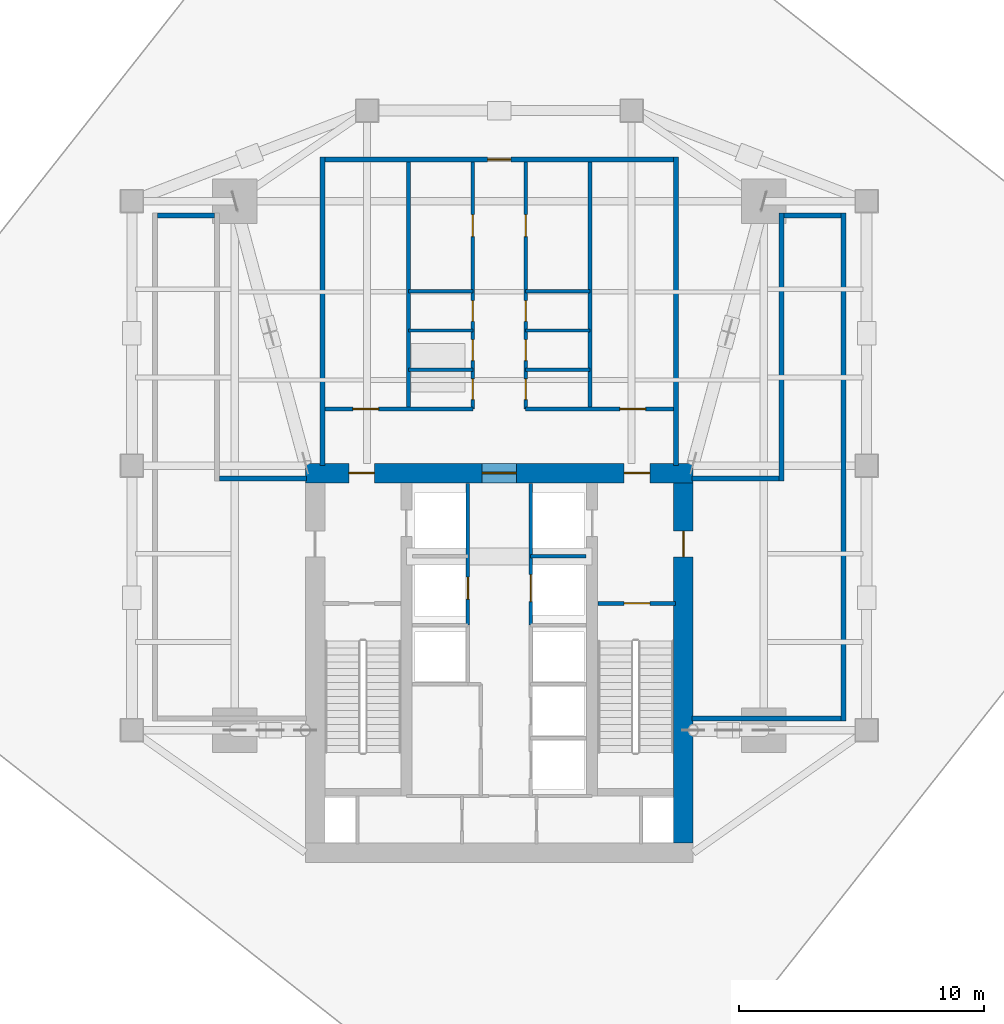
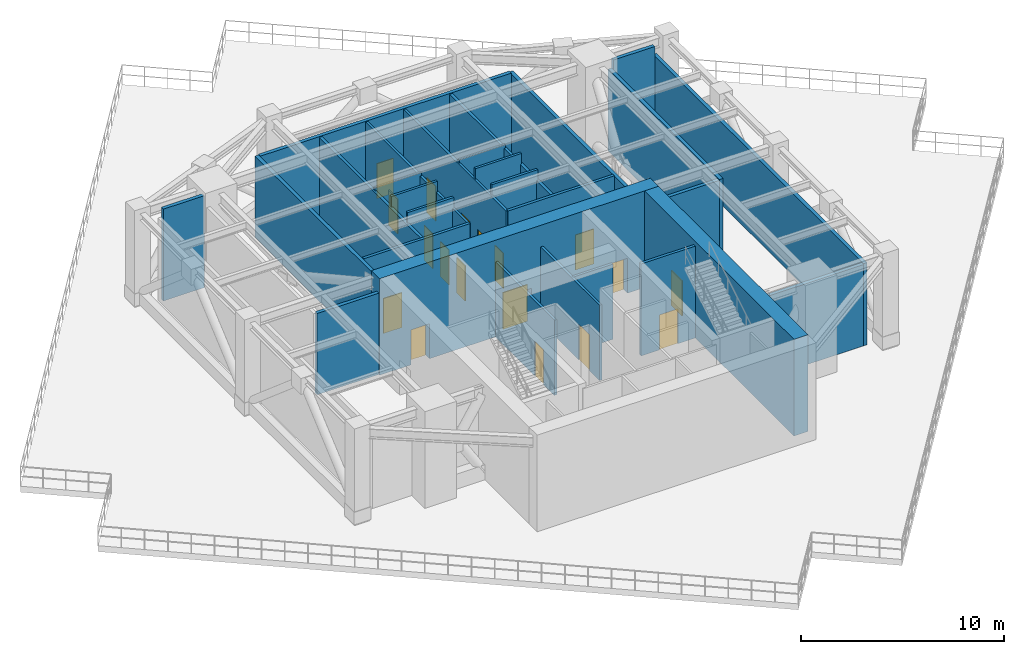
# One storey, part 5 of 8: 28 walls, 18 doors, 18 openings.
"""IFC4 building model written with IfcOpenShell, lengths in metres."""

from ifc_helpers import new_model, si_unit, direction, frame, frame_2d, origin, place, context, subcontext, project, spatial, rectangle, extrude, material, layer, layer_set, type_object, element, fill, save


model = new_model("IFC4")

# Units and contexts
model_context = context("Model", 3, precision=1e-05, world=origin(), true_north=direction((0.0, 1.0)))
body_context = subcontext(model_context, "Body", "Model", "MODEL_VIEW")
ifc_project = project(units=[si_unit("LENGTHUNIT", "METRE"), si_unit("AREAUNIT", "SQUARE_METRE"), si_unit("VOLUMEUNIT", "CUBIC_METRE"), si_unit("PLANEANGLEUNIT", "RADIAN"), si_unit("MASSUNIT", "GRAM", prefix="KILO")], contexts=[model_context])

# Site, building, storey
site_placement = place(None, origin())
site = spatial("IfcSite", under=ifc_project, at=site_placement, CompositionType="ELEMENT")
building_placement = place(site_placement, origin())
building = spatial("IfcBuilding", under=site, at=building_placement, Name="Krantzveldt Concourse Tower", CompositionType="ELEMENT")
storey_placement = place(building_placement, frame((0.0, 0.0, 201.5)))
storey = spatial("IfcBuildingStorey", under=building, at=storey_placement, Name="L49", CompositionType="ELEMENT", Elevation=201.5)

# Wall, opening, door
ifc_material_1 = material(Name="Concrete C40/50", Category="concrete")
ifc_layer_1 = layer(ifc_material_1, 0.199951171875, Name="Concrete C40/50", Category="concrete")
ifc_layer_set_1 = layer_set([ifc_layer_1], Name="Concrete C40/50 (WL-EXT-POD200)")
wall_type_1 = type_object("IfcWallType", Name="WL-EXT-POD200", PredefinedType="SOLIDWALL", material=ifc_layer_set_1)
wall_1_placement = place(storey_placement, frame((28.8798828125, 39.199951171875, 0.0), z_axis=(0.0, 0.0, 1.0), x_axis=(1.0, 0.0, 0.0)))
wall_1 = element("IfcWall", 1, at=wall_1_placement, inside=storey, type_object=wall_type_1, Name="WP-L49-PODN", PredefinedType="SOLIDWALL", context=body_context, shape_type="SweptSolid", body=[
    extrude(rectangle(XDim=14.240234375, YDim=0.199951171875, at=frame_2d((7.1201171875, 0.0))), origin(), (0.0, 0.0, 1.0), 4.929931640625),
])
opening_1_placement = place(wall_1_placement, frame((6.64501953125, 0.0, 0.0)))
opening_1 = element("IfcOpeningElement", 2, at=opening_1_placement, cuts=wall_1, Name="Opening D-EX95", PredefinedType="OPENING", context=body_context, shape_type="SweptSolid", body=[
    extrude(rectangle(XDim=0.949951171875, YDim=2.10009765625, at=frame_2d((0.47509765625, 1.050048828125))), frame((0.0, 0.10986328125, 0.0), z_axis=(0.0, -1.0, 0.0), x_axis=(1.0, 0.0, 0.0)), (0.0, 0.0, 1.0), 0.219970703125),
])
ifc_material_2 = material(Name="Anodised aluminium 6063-T6", Category="aluminium")
door_type_1 = type_object("IfcDoorType", Name="DR-EXT-950", OperationType="SINGLE_SWING_LEFT", PredefinedType="DOOR", material=ifc_material_2)
door_1_placement = place(opening_1_placement, origin())
door_1 = element("IfcDoor", 3, at=door_1_placement, inside=storey, type_object=door_type_1, Name="DR-L49-WDECK", OperationType="SINGLE_SWING_LEFT", OverallHeight=2.10009765625, OverallWidth=0.949951171875, PredefinedType="DOOR", context=body_context, shape_type="SweptSolid", body=[
    extrude(rectangle(XDim=0.949951171875, YDim=2.10009765625, at=frame_2d((0.47509765625, 1.050048828125))), frame((0.0, 0.02490234375, 0.0), z_axis=(0.0, -1.0, 0.0), x_axis=(1.0, 0.0, 0.0)), (0.0, 0.0, 1.0), 0.050048828125),
])
fill(opening_1, door_1)

# Walls
for number, where, z_axis, x_axis, name in (
    (4, (28.780029296875, 26.699951171875, 0.0), (0.0, 0.0, 1.0), (0.0, 1.0, 0.0), "WP-L49-PODW"),
    (5, (43.219970703125, 26.699951171875, 0.0), (0.0, 0.0, 1.0), (0.0, 1.0, 0.0), "WP-L49-PODE"),
):
    element("IfcWall", number, at=place(storey_placement, frame(where, z_axis=z_axis, x_axis=x_axis)), inside=storey, type_object=wall_type_1, Name=name, PredefinedType="SOLIDWALL", context=body_context, shape_type="SweptSolid", body=[
        extrude(rectangle(XDim=12.60009765625, YDim=0.199951171875, at=frame_2d((6.300048828125, 0.0))), origin(), (0.0, 0.0, 1.0), 4.8798828125),
    ])
wall_2_placement = place(storey_placement, frame((22.050048828125, 36.919921875, 0.0), z_axis=(0.0, 0.0, 1.0), x_axis=(1.0, 0.0, 0.0)))
element("IfcWall", 6, at=wall_2_placement, inside=storey, type_object=wall_type_1, Name="WP-L49-RWN1", PredefinedType="SOLIDWALL", context=body_context, shape_type="SweptSolid", body=[
    extrude(rectangle(XDim=2.329833984375, YDim=0.199951171875, at=frame_2d((1.1650390625, 0.0))), origin(), (0.0, 0.0, 1.0), 5.52001953125),
])
wall_3_placement = place(storey_placement, frame((24.580078125, 26.179931640625, 0.0), z_axis=(0.0, 0.0, 1.0), x_axis=(1.0, 0.0, 0.0)))
element("IfcWall", 7, at=wall_3_placement, inside=storey, type_object=wall_type_1, Name="WP-L49-RWN2", PredefinedType="SOLIDWALL", context=body_context, shape_type="SweptSolid", body=[
    extrude(rectangle(XDim=3.5400390625, YDim=0.199951171875, at=frame_2d((1.77001953125, 0.0))), origin(), (0.0, 0.0, 1.0), 4.8798828125),
])
wall_4_placement = place(storey_placement, frame((43.8798828125, 16.3798828125, 0.0), z_axis=(0.0, 0.0, 1.0), x_axis=(1.0, 0.0, 0.0)))
element("IfcWall", 8, at=wall_4_placement, inside=storey, type_object=wall_type_1, Name="WP-L49-RES", PredefinedType="SOLIDWALL", context=body_context, shape_type="SweptSolid", body=[
    extrude(rectangle(XDim=6.070068359375, YDim=0.199951171875, at=frame_2d((3.03515625, 0.0))), origin(), (0.0, 0.0, 1.0), 4.8798828125),
])
wall_5_placement = place(storey_placement, frame((50.050048828125, 16.280029296875, 0.0), z_axis=(0.0, 0.0, 1.0), x_axis=(0.0, 1.0, 0.0)))
element("IfcWall", 9, at=wall_5_placement, inside=storey, type_object=wall_type_1, Name="WP-L49-REE", PredefinedType="SOLIDWALL", context=body_context, shape_type="SweptSolid", body=[
    extrude(rectangle(XDim=20.739990234375, YDim=0.199951171875, at=frame_2d((10.3701171875, 0.0))), origin(), (0.0, 0.0, 1.0), 4.929931640625),
])
wall_6_placement = place(storey_placement, frame((47.6201171875, 36.919921875, 0.0), z_axis=(0.0, 0.0, 1.0), x_axis=(1.0, 0.0, 0.0)))
element("IfcWall", 10, at=wall_6_placement, inside=storey, type_object=wall_type_1, Name="WP-L49-REN1", PredefinedType="SOLIDWALL", context=body_context, shape_type="SweptSolid", body=[
    extrude(rectangle(XDim=2.329833984375, YDim=0.199951171875, at=frame_2d((1.1650390625, 0.0))), origin(), (0.0, 0.0, 1.0), 5.52001953125),
])
wall_7_placement = place(storey_placement, frame((47.52001953125, 26.080078125, 0.0), z_axis=(0.0, 0.0, 1.0), x_axis=(0.0, 1.0, 0.0)))
element("IfcWall", 11, at=wall_7_placement, inside=storey, type_object=wall_type_1, Name="WP-L49-RENW", PredefinedType="SOLIDWALL", context=body_context, shape_type="SweptSolid", body=[
    extrude(rectangle(XDim=10.93994140625, YDim=0.199951171875, at=frame_2d((5.469970703125, 0.0))), origin(), (0.0, 0.0, 1.0), 4.929931640625),
])
wall_8_placement = place(storey_placement, frame((43.8798828125, 26.179931640625, 0.0), z_axis=(0.0, 0.0, 1.0), x_axis=(1.0, 0.0, 0.0)))
element("IfcWall", 12, at=wall_8_placement, inside=storey, type_object=wall_type_1, Name="WP-L49-REN2", PredefinedType="SOLIDWALL", context=body_context, shape_type="SweptSolid", body=[
    extrude(rectangle(XDim=3.5400390625, YDim=0.199951171875, at=frame_2d((1.77001953125, 0.0))), origin(), (0.0, 0.0, 1.0), 4.8798828125),
])

# Wall, opening, door
ifc_material_3 = material(Name="Fire-rated gypsum plasterboard on steel stud", Category="steel")
ifc_layer_2 = layer(ifc_material_3, 0.139892578125, Name="Fire-rated gypsum plasterboard on steel stud", Category="steel")
ifc_layer_set_2 = layer_set([ifc_layer_2], Name="Fire-rated gypsum plasterboard on steel stud (WL-PART-FR140)")
wall_type_2 = type_object("IfcWallType", Name="WL-PART-FR140", PredefinedType="PARTITIONING", material=ifc_layer_set_2)
wall_9_placement = place(storey_placement, frame((34.719970703125, 20.199951171875, 0.0), z_axis=(0.0, 0.0, 1.0), x_axis=(0.0, 1.0, 0.0)))
wall_9 = element("IfcWall", 13, at=wall_9_placement, inside=storey, type_object=wall_type_2, Name="WP-L49-SHNW", PredefinedType="PARTITIONING", context=body_context, shape_type="SweptSolid", body=[
    extrude(rectangle(XDim=5.780029296875, YDim=0.139892578125, at=frame_2d((2.89013671875, 0.0))), origin(), (0.0, 0.0, 1.0), 4.52001953125),
])
opening_2_placement = place(wall_9_placement, frame((1.050048828125, 0.0, 0.0)))
opening_2 = element("IfcOpeningElement", 14, at=opening_2_placement, cuts=wall_9, Name="Opening D-FD090", PredefinedType="OPENING", context=body_context, shape_type="SweptSolid", body=[
    extrude(rectangle(XDim=0.89990234375, YDim=2.10009765625, at=frame_2d((0.449951171875, 1.050048828125))), frame((0.0, 0.080078125, 0.0), z_axis=(0.0, -1.0, 0.0), x_axis=(1.0, 0.0, 0.0)), (0.0, 0.0, 1.0), 0.159912109375),
])
ifc_material_4 = material(Name="Hardwood timber", Category="wood")
door_type_2 = type_object("IfcDoorType", Name="DR-FD60-900", OperationType="SINGLE_SWING_LEFT", PredefinedType="DOOR", material=ifc_material_4)
door_2_placement = place(opening_2_placement, origin())
door_2 = element("IfcDoor", 15, at=door_2_placement, inside=storey, type_object=door_type_2, Name="Electrical Riser Access Door L49", OperationType="SINGLE_SWING_LEFT", OverallHeight=2.10009765625, OverallWidth=0.89990234375, PredefinedType="DOOR", context=body_context, shape_type="SweptSolid", body=[
    extrude(rectangle(XDim=0.89990234375, YDim=2.10009765625, at=frame_2d((0.449951171875, 1.050048828125))), frame((0.0, 0.02490234375, 0.0), z_axis=(0.0, -1.0, 0.0), x_axis=(1.0, 0.0, 0.0)), (0.0, 0.0, 1.0), 0.050048828125),
])
fill(opening_2, door_2)

wall_10_placement = place(storey_placement, frame((37.280029296875, 20.199951171875, 0.0), z_axis=(0.0, 0.0, 1.0), x_axis=(0.0, 1.0, 0.0)))
wall_10 = element("IfcWall", 16, at=wall_10_placement, inside=storey, type_object=wall_type_2, Name="WP-L49-SHNE", PredefinedType="PARTITIONING", context=body_context, shape_type="SweptSolid", body=[
    extrude(rectangle(XDim=5.780029296875, YDim=0.139892578125, at=frame_2d((2.89013671875, 0.0))), origin(), (0.0, 0.0, 1.0), 4.52001953125),
])
opening_3_placement = place(wall_10_placement, frame((0.949951171875, 0.0, 0.0)))
opening_3 = element("IfcOpeningElement", 17, at=opening_3_placement, cuts=wall_10, Name="Opening LD", PredefinedType="OPENING", context=body_context, shape_type="SweptSolid", body=[
    extrude(rectangle(XDim=1.10009765625, YDim=2.14990234375, at=frame_2d((0.550048828125, 1.074951171875))), frame((0.0, 0.080078125, 0.0), z_axis=(0.0, -1.0, 0.0), x_axis=(1.0, 0.0, 0.0)), (0.0, 0.0, 1.0), 0.159912109375),
])
ifc_material_5 = material(Name="Stainless steel 316L", Category="steel")
door_type_3 = type_object("IfcDoorType", Name="DR-SLIDE-LD1100", OperationType="DOUBLE_DOOR_SLIDING", PredefinedType="DOOR", material=ifc_material_5)
door_3_placement = place(opening_3_placement, origin())
door_3 = element("IfcDoor", 18, at=door_3_placement, inside=storey, type_object=door_type_3, Name="LD-L49-GL1", OperationType="DOUBLE_DOOR_SLIDING", OverallHeight=2.14990234375, OverallWidth=1.10009765625, PredefinedType="DOOR", context=body_context, shape_type="SweptSolid", body=[
    extrude(rectangle(XDim=1.10009765625, YDim=2.14990234375, at=frame_2d((0.550048828125, 1.074951171875))), frame((0.0, 0.02490234375, 0.0), z_axis=(0.0, -1.0, 0.0), x_axis=(1.0, 0.0, 0.0)), (0.0, 0.0, 1.0), 0.050048828125),
])
fill(opening_3, door_3)

# Wall
wall_11_placement = place(storey_placement, frame((37.280029296875, 23.0, 0.0), z_axis=(0.0, 0.0, 1.0), x_axis=(1.0, 0.0, 0.0)))
element("IfcWall", 19, at=wall_11_placement, inside=storey, type_object=wall_type_2, Name="WP-L49-GLH", PredefinedType="PARTITIONING", context=body_context, shape_type="SweptSolid", body=[
    extrude(rectangle(XDim=2.27001953125, YDim=0.139892578125, at=frame_2d((1.135009765625, 0.0))), origin(), (0.0, 0.0, 1.0), 4.52001953125),
])

# Wall, openings, doors
wall_12_placement = place(storey_placement, frame((34.919921875, 29.02001953125, 0.0), z_axis=(0.0, 0.0, 1.0), x_axis=(0.0, 1.0, 0.0)))
wall_12 = element("IfcWall", 20, at=wall_12_placement, inside=storey, type_object=wall_type_2, Name="WP-L49-SPL", PredefinedType="PARTITIONING", context=body_context, shape_type="SweptSolid", body=[
    extrude(rectangle(XDim=10.080078125, YDim=0.139892578125, at=frame_2d((5.0400390625, 0.0))), origin(), (0.0, 0.0, 1.0), 4.8798828125),
])
opening_4_placement = place(wall_12_placement, frame((7.030029296875, 0.0, 0.0)))
opening_4 = element("IfcOpeningElement", 21, at=opening_4_placement, cuts=wall_12, Name="Opening D-FD090", PredefinedType="OPENING", context=body_context, shape_type="SweptSolid", body=[
    extrude(rectangle(XDim=0.89990234375, YDim=2.10009765625, at=frame_2d((0.449951171875, 1.050048828125))), frame((0.0, 0.080078125, 0.0), z_axis=(0.0, -1.0, 0.0), x_axis=(1.0, 0.0, 0.0)), (0.0, 0.0, 1.0), 0.159912109375),
])
opening_5_placement = place(wall_12_placement, frame((0.375, 0.0, 0.0)))
opening_5 = element("IfcOpeningElement", 22, at=opening_5_placement, cuts=wall_12, Name="Opening D-IN085", PredefinedType="OPENING", context=body_context, shape_type="SweptSolid", body=[
    extrude(rectangle(XDim=0.85009765625, YDim=2.10009765625, at=frame_2d((0.425048828125, 1.050048828125))), frame((0.0, 0.080078125, 0.0), z_axis=(0.0, -1.0, 0.0), x_axis=(1.0, 0.0, 0.0)), (0.0, 0.0, 1.0), 0.159912109375),
])
opening_6_placement = place(wall_12_placement, frame((1.97509765625, 0.0, 0.0)))
opening_6 = element("IfcOpeningElement", 23, at=opening_6_placement, cuts=wall_12, Name="Opening D-IN085", PredefinedType="OPENING", context=body_context, shape_type="SweptSolid", body=[
    extrude(rectangle(XDim=0.85009765625, YDim=2.10009765625, at=frame_2d((0.425048828125, 1.050048828125))), frame((0.0, 0.080078125, 0.0), z_axis=(0.0, -1.0, 0.0), x_axis=(1.0, 0.0, 0.0)), (0.0, 0.0, 1.0), 0.159912109375),
])
opening_7_placement = place(wall_12_placement, frame((3.574951171875, 0.0, 0.0)))
opening_7 = element("IfcOpeningElement", 24, at=opening_7_placement, cuts=wall_12, Name="Opening D-IN085", PredefinedType="OPENING", context=body_context, shape_type="SweptSolid", body=[
    extrude(rectangle(XDim=0.85009765625, YDim=2.10009765625, at=frame_2d((0.425048828125, 1.050048828125))), frame((0.0, 0.080078125, 0.0), z_axis=(0.0, -1.0, 0.0), x_axis=(1.0, 0.0, 0.0)), (0.0, 0.0, 1.0), 0.159912109375),
])
door_4_placement = place(opening_4_placement, origin())
door_4 = element("IfcDoor", 25, at=door_4_placement, inside=storey, type_object=door_type_2, Name="DR-L49-REFCNL", OperationType="SINGLE_SWING_LEFT", OverallHeight=2.10009765625, OverallWidth=0.89990234375, PredefinedType="DOOR", context=body_context, shape_type="SweptSolid", body=[
    extrude(rectangle(XDim=0.89990234375, YDim=2.10009765625, at=frame_2d((0.449951171875, 1.050048828125))), frame((0.0, 0.02490234375, 0.0), z_axis=(0.0, -1.0, 0.0), x_axis=(1.0, 0.0, 0.0)), (0.0, 0.0, 1.0), 0.050048828125),
])
fill(opening_4, door_4)
door_type_4 = type_object("IfcDoorType", Name="DR-INT-850", OperationType="SINGLE_SWING_LEFT", PredefinedType="DOOR", material=ifc_material_4)
door_5_placement = place(opening_5_placement, origin())
door_5 = element("IfcDoor", 26, at=door_5_placement, inside=storey, type_object=door_type_4, Name="DR-L49-PAHU1", OperationType="SINGLE_SWING_LEFT", OverallHeight=2.10009765625, OverallWidth=0.85009765625, PredefinedType="DOOR", context=body_context, shape_type="SweptSolid", body=[
    extrude(rectangle(XDim=0.85009765625, YDim=2.10009765625, at=frame_2d((0.425048828125, 1.050048828125))), frame((0.0, 0.02490234375, 0.0), z_axis=(0.0, -1.0, 0.0), x_axis=(1.0, 0.0, 0.0)), (0.0, 0.0, 1.0), 0.050048828125),
])
fill(opening_5, door_5)
door_6_placement = place(opening_6_placement, origin())
door_6 = element("IfcDoor", 27, at=door_6_placement, inside=storey, type_object=door_type_4, Name="DR-L49-PAHU2", OperationType="SINGLE_SWING_RIGHT", OverallHeight=2.10009765625, OverallWidth=0.85009765625, PredefinedType="DOOR", context=body_context, shape_type="SweptSolid", body=[
    extrude(rectangle(XDim=0.85009765625, YDim=2.10009765625, at=frame_2d((0.425048828125, 1.050048828125))), frame((0.0, 0.02490234375, 0.0), z_axis=(0.0, -1.0, 0.0), x_axis=(1.0, 0.0, 0.0)), (0.0, 0.0, 1.0), 0.050048828125),
])
fill(opening_6, door_6)
door_7_placement = place(opening_7_placement, origin())
door_7 = element("IfcDoor", 28, at=door_7_placement, inside=storey, type_object=door_type_4, Name="DR-L49-PSWG", OperationType="SINGLE_SWING_LEFT", OverallHeight=2.10009765625, OverallWidth=0.85009765625, PredefinedType="DOOR", context=body_context, shape_type="SweptSolid", body=[
    extrude(rectangle(XDim=0.85009765625, YDim=2.10009765625, at=frame_2d((0.425048828125, 1.050048828125))), frame((0.0, 0.02490234375, 0.0), z_axis=(0.0, -1.0, 0.0), x_axis=(1.0, 0.0, 0.0)), (0.0, 0.0, 1.0), 0.050048828125),
])
fill(opening_7, door_7)

wall_13_placement = place(storey_placement, frame((37.080078125, 29.02001953125, 0.0), z_axis=(0.0, 0.0, 1.0), x_axis=(0.0, 1.0, 0.0)))
wall_13 = element("IfcWall", 29, at=wall_13_placement, inside=storey, type_object=wall_type_2, Name="WP-L49-SPR", PredefinedType="PARTITIONING", context=body_context, shape_type="SweptSolid", body=[
    extrude(rectangle(XDim=10.080078125, YDim=0.139892578125, at=frame_2d((5.0400390625, 0.0))), origin(), (0.0, 0.0, 1.0), 4.8798828125),
])
opening_8_placement = place(wall_13_placement, frame((7.030029296875, 0.0, 0.0)))
opening_8 = element("IfcOpeningElement", 30, at=opening_8_placement, cuts=wall_13, Name="Opening D-FD090", PredefinedType="OPENING", context=body_context, shape_type="SweptSolid", body=[
    extrude(rectangle(XDim=0.89990234375, YDim=2.10009765625, at=frame_2d((0.449951171875, 1.050048828125))), frame((0.0, 0.080078125, 0.0), z_axis=(0.0, -1.0, 0.0), x_axis=(1.0, 0.0, 0.0)), (0.0, 0.0, 1.0), 0.159912109375),
])
opening_9_placement = place(wall_13_placement, frame((0.375, 0.0, 0.0)))
opening_9 = element("IfcOpeningElement", 31, at=opening_9_placement, cuts=wall_13, Name="Opening D-IN085", PredefinedType="OPENING", context=body_context, shape_type="SweptSolid", body=[
    extrude(rectangle(XDim=0.85009765625, YDim=2.10009765625, at=frame_2d((0.425048828125, 1.050048828125))), frame((0.0, 0.080078125, 0.0), z_axis=(0.0, -1.0, 0.0), x_axis=(1.0, 0.0, 0.0)), (0.0, 0.0, 1.0), 0.159912109375),
])
opening_10_placement = place(wall_13_placement, frame((1.97509765625, 0.0, 0.0)))
opening_10 = element("IfcOpeningElement", 32, at=opening_10_placement, cuts=wall_13, Name="Opening D-IN085", PredefinedType="OPENING", context=body_context, shape_type="SweptSolid", body=[
    extrude(rectangle(XDim=0.85009765625, YDim=2.10009765625, at=frame_2d((0.425048828125, 1.050048828125))), frame((0.0, 0.080078125, 0.0), z_axis=(0.0, -1.0, 0.0), x_axis=(1.0, 0.0, 0.0)), (0.0, 0.0, 1.0), 0.159912109375),
])
opening_11_placement = place(wall_13_placement, frame((3.574951171875, 0.0, 0.0)))
opening_11 = element("IfcOpeningElement", 33, at=opening_11_placement, cuts=wall_13, Name="Opening D-IN085", PredefinedType="OPENING", context=body_context, shape_type="SweptSolid", body=[
    extrude(rectangle(XDim=0.85009765625, YDim=2.10009765625, at=frame_2d((0.425048828125, 1.050048828125))), frame((0.0, 0.080078125, 0.0), z_axis=(0.0, -1.0, 0.0), x_axis=(1.0, 0.0, 0.0)), (0.0, 0.0, 1.0), 0.159912109375),
])
door_8_placement = place(opening_8_placement, origin())
door_8 = element("IfcDoor", 34, at=door_8_placement, inside=storey, type_object=door_type_2, Name="DR-L49-REFCNR", OperationType="SINGLE_SWING_RIGHT", OverallHeight=2.10009765625, OverallWidth=0.89990234375, PredefinedType="DOOR", context=body_context, shape_type="SweptSolid", body=[
    extrude(rectangle(XDim=0.89990234375, YDim=2.10009765625, at=frame_2d((0.449951171875, 1.050048828125))), frame((0.0, 0.02490234375, 0.0), z_axis=(0.0, -1.0, 0.0), x_axis=(1.0, 0.0, 0.0)), (0.0, 0.0, 1.0), 0.050048828125),
])
fill(opening_8, door_8)
door_9_placement = place(opening_9_placement, origin())
door_9 = element("IfcDoor", 35, at=door_9_placement, inside=storey, type_object=door_type_4, Name="DR-L49-PHEX", OperationType="SINGLE_SWING_RIGHT", OverallHeight=2.10009765625, OverallWidth=0.85009765625, PredefinedType="DOOR", context=body_context, shape_type="SweptSolid", body=[
    extrude(rectangle(XDim=0.85009765625, YDim=2.10009765625, at=frame_2d((0.425048828125, 1.050048828125))), frame((0.0, 0.02490234375, 0.0), z_axis=(0.0, -1.0, 0.0), x_axis=(1.0, 0.0, 0.0)), (0.0, 0.0, 1.0), 0.050048828125),
])
fill(opening_9, door_9)
door_10_placement = place(opening_10_placement, origin())
door_10 = element("IfcDoor", 36, at=door_10_placement, inside=storey, type_object=door_type_4, Name="DR-L49-PPMP", OperationType="SINGLE_SWING_LEFT", OverallHeight=2.10009765625, OverallWidth=0.85009765625, PredefinedType="DOOR", context=body_context, shape_type="SweptSolid", body=[
    extrude(rectangle(XDim=0.85009765625, YDim=2.10009765625, at=frame_2d((0.425048828125, 1.050048828125))), frame((0.0, 0.02490234375, 0.0), z_axis=(0.0, -1.0, 0.0), x_axis=(1.0, 0.0, 0.0)), (0.0, 0.0, 1.0), 0.050048828125),
])
fill(opening_10, door_10)
door_11_placement = place(opening_11_placement, origin())
door_11 = element("IfcDoor", 37, at=door_11_placement, inside=storey, type_object=door_type_4, Name="DR-L49-PTNK", OperationType="SINGLE_SWING_RIGHT", OverallHeight=2.10009765625, OverallWidth=0.85009765625, PredefinedType="DOOR", context=body_context, shape_type="SweptSolid", body=[
    extrude(rectangle(XDim=0.85009765625, YDim=2.10009765625, at=frame_2d((0.425048828125, 1.050048828125))), frame((0.0, 0.02490234375, 0.0), z_axis=(0.0, -1.0, 0.0), x_axis=(1.0, 0.0, 0.0)), (0.0, 0.0, 1.0), 0.050048828125),
])
fill(opening_11, door_11)

# Walls
for number, where, z_axis, x_axis, name in (
    (38, (32.300048828125, 33.820068359375, 0.0), (0.0, 0.0, 1.0), (1.0, 0.0, 0.0), "WP-L49-SPNL"),
    (39, (37.080078125, 33.820068359375, 0.0), (0.0, 0.0, 1.0), (1.0, 0.0, 0.0), "WP-L49-SPNR"),
):
    element("IfcWall", number, at=place(storey_placement, frame(where, z_axis=z_axis, x_axis=x_axis)), inside=storey, type_object=wall_type_2, Name=name, PredefinedType="PARTITIONING", context=body_context, shape_type="SweptSolid", body=[
        extrude(rectangle(XDim=2.619873046875, YDim=0.139892578125, at=frame_2d((1.31005859375, 0.0))), origin(), (0.0, 0.0, 1.0), 5.070068359375),
    ])
for number, where, z_axis, x_axis, name in (
    (40, (32.300048828125, 30.6201171875, 0.0), (0.0, 0.0, 1.0), (1.0, 0.0, 0.0), "WP-L49-DWL1"),
    (41, (32.300048828125, 32.219970703125, 0.0), (0.0, 0.0, 1.0), (1.0, 0.0, 0.0), "WP-L49-DWL2"),
    (42, (37.080078125, 30.6201171875, 0.0), (0.0, 0.0, 1.0), (1.0, 0.0, 0.0), "WP-L49-DWR1"),
    (43, (37.080078125, 32.219970703125, 0.0), (0.0, 0.0, 1.0), (1.0, 0.0, 0.0), "WP-L49-DWR2"),
):
    element("IfcWall", number, at=place(storey_placement, frame(where, z_axis=z_axis, x_axis=x_axis)), inside=storey, type_object=wall_type_2, Name=name, PredefinedType="PARTITIONING", context=body_context, shape_type="SweptSolid", body=[
        extrude(rectangle(XDim=2.619873046875, YDim=0.139892578125, at=frame_2d((1.31005859375, 0.0))), origin(), (0.0, 0.0, 1.0), 5.52001953125),
    ])

# Wall, opening, door
ifc_layer_3 = layer(ifc_material_3, 0.159912109375, Name="Fire-rated gypsum plasterboard on steel stud", Category="steel")
ifc_layer_set_3 = layer_set([ifc_layer_3], Name="Fire-rated gypsum plasterboard on steel stud (WL-PART-FR160)")
wall_type_3 = type_object("IfcWallType", Name="WL-PART-FR160", PredefinedType="PARTITIONING", material=ifc_layer_set_3)
wall_14_placement = place(storey_placement, frame((40.0400390625, 21.080078125, 0.0), z_axis=(0.0, 0.0, 1.0), x_axis=(1.0, 0.0, 0.0)))
wall_14 = element("IfcWall", 44, at=wall_14_placement, inside=storey, type_object=wall_type_3, Name="WP-L49-ST2", PredefinedType="PARTITIONING", context=body_context, shape_type="SweptSolid", body=[
    extrude(rectangle(XDim=3.159912109375, YDim=0.159912109375, at=frame_2d((1.580078125, 0.0))), origin(), (0.0, 0.0, 1.0), 5.52001953125),
])
opening_12_placement = place(wall_14_placement, frame((1.054931640625, 0.0, 0.0)))
opening_12 = element("IfcOpeningElement", 45, at=opening_12_placement, cuts=wall_14, Name="Opening D-FD105", PredefinedType="OPENING", context=body_context, shape_type="SweptSolid", body=[
    extrude(rectangle(XDim=1.050048828125, YDim=2.10009765625, at=frame_2d((0.52490234375, 1.050048828125))), frame((0.0, 0.08984375, 0.0), z_axis=(0.0, -1.0, 0.0), x_axis=(1.0, 0.0, 0.0)), (0.0, 0.0, 1.0), 0.179931640625),
])
ifc_material_6 = material(Name="Galvanised steel", Category="steel")
door_type_5 = type_object("IfcDoorType", Name="DR-FD120-1050", OperationType="SINGLE_SWING_LEFT", PredefinedType="DOOR", material=ifc_material_6)
door_12_placement = place(opening_12_placement, origin())
door_12 = element("IfcDoor", 46, at=door_12_placement, inside=storey, type_object=door_type_5, Name="DR-L49-ST2", OperationType="SINGLE_SWING_LEFT", OverallHeight=2.10009765625, OverallWidth=1.050048828125, PredefinedType="DOOR", context=body_context, shape_type="SweptSolid", body=[
    extrude(rectangle(XDim=1.050048828125, YDim=2.10009765625, at=frame_2d((0.52490234375, 1.050048828125))), frame((0.0, 0.02490234375, 0.0), z_axis=(0.0, -1.0, 0.0), x_axis=(1.0, 0.0, 0.0)), (0.0, 0.0, 1.0), 0.050048828125),
])
fill(opening_12, door_12)

wall_15_placement = place(storey_placement, frame((28.8798828125, 29.02001953125, 0.0), z_axis=(0.0, 0.0, 1.0), x_axis=(1.0, 0.0, 0.0)))
wall_15 = element("IfcWall", 47, at=wall_15_placement, inside=storey, type_object=wall_type_3, Name="WP-L49-CHDRL", PredefinedType="PARTITIONING", context=body_context, shape_type="SweptSolid", body=[
    extrude(rectangle(XDim=6.0400390625, YDim=0.159912109375, at=frame_2d((3.02001953125, 0.0))), origin(), (0.0, 0.0, 1.0), 4.929931640625),
])
opening_13_placement = place(wall_15_placement, frame((1.14501953125, 0.0, 0.0)))
opening_13 = element("IfcOpeningElement", 48, at=opening_13_placement, cuts=wall_15, Name="Opening D-FD105", PredefinedType="OPENING", context=body_context, shape_type="SweptSolid", body=[
    extrude(rectangle(XDim=1.050048828125, YDim=2.10009765625, at=frame_2d((0.52490234375, 1.050048828125))), frame((0.0, 0.08984375, 0.0), z_axis=(0.0, -1.0, 0.0), x_axis=(1.0, 0.0, 0.0)), (0.0, 0.0, 1.0), 0.179931640625),
])
door_13_placement = place(opening_13_placement, origin())
door_13 = element("IfcDoor", 49, at=door_13_placement, inside=storey, type_object=door_type_5, Name="DR-L49-REFW2", OperationType="SINGLE_SWING_LEFT", OverallHeight=2.10009765625, OverallWidth=1.050048828125, PredefinedType="DOOR", context=body_context, shape_type="SweptSolid", body=[
    extrude(rectangle(XDim=1.050048828125, YDim=2.10009765625, at=frame_2d((0.52490234375, 1.050048828125))), frame((0.0, 0.02490234375, 0.0), z_axis=(0.0, -1.0, 0.0), x_axis=(1.0, 0.0, 0.0)), (0.0, 0.0, 1.0), 0.050048828125),
])
fill(opening_13, door_13)

wall_16_placement = place(storey_placement, frame((37.080078125, 29.02001953125, 0.0), z_axis=(0.0, 0.0, 1.0), x_axis=(1.0, 0.0, 0.0)))
wall_16 = element("IfcWall", 50, at=wall_16_placement, inside=storey, type_object=wall_type_3, Name="WP-L49-CHDRR", PredefinedType="PARTITIONING", context=body_context, shape_type="SweptSolid", body=[
    extrude(rectangle(XDim=6.0400390625, YDim=0.159912109375, at=frame_2d((3.02001953125, 0.0))), origin(), (0.0, 0.0, 1.0), 4.929931640625),
])
opening_14_placement = place(wall_16_placement, frame((3.844970703125, 0.0, 0.0)))
opening_14 = element("IfcOpeningElement", 51, at=opening_14_placement, cuts=wall_16, Name="Opening D-FD105", PredefinedType="OPENING", context=body_context, shape_type="SweptSolid", body=[
    extrude(rectangle(XDim=1.050048828125, YDim=2.10009765625, at=frame_2d((0.52490234375, 1.050048828125))), frame((0.0, 0.08984375, 0.0), z_axis=(0.0, -1.0, 0.0), x_axis=(1.0, 0.0, 0.0)), (0.0, 0.0, 1.0), 0.179931640625),
])
door_14_placement = place(opening_14_placement, origin())
door_14 = element("IfcDoor", 52, at=door_14_placement, inside=storey, type_object=door_type_5, Name="DR-L49-REFE2", OperationType="SINGLE_SWING_RIGHT", OverallHeight=2.10009765625, OverallWidth=1.050048828125, PredefinedType="DOOR", context=body_context, shape_type="SweptSolid", body=[
    extrude(rectangle(XDim=1.050048828125, YDim=2.10009765625, at=frame_2d((0.52490234375, 1.050048828125))), frame((0.0, 0.02490234375, 0.0), z_axis=(0.0, -1.0, 0.0), x_axis=(1.0, 0.0, 0.0)), (0.0, 0.0, 1.0), 0.050048828125),
])
fill(opening_14, door_14)

# Walls
for number, where, z_axis, x_axis, name in (
    (53, (32.300048828125, 29.02001953125, 0.0), (0.0, 0.0, 1.0), (0.0, 1.0, 0.0), "WP-L49-RW"),
    (54, (39.699951171875, 29.02001953125, 0.0), (0.0, 0.0, 1.0), (0.0, 1.0, 0.0), "WP-L49-RE"),
):
    element("IfcWall", number, at=place(storey_placement, frame(where, z_axis=z_axis, x_axis=x_axis)), inside=storey, type_object=wall_type_3, Name=name, PredefinedType="PARTITIONING", context=body_context, shape_type="SweptSolid", body=[
        extrude(rectangle(XDim=10.080078125, YDim=0.159912109375, at=frame_2d((5.0400390625, 0.0))), origin(), (0.0, 0.0, 1.0), 4.8798828125),
    ])

# Wall, openings, doors
ifc_material_7 = material(Name="Concrete C60/75", Category="concrete")
ifc_layer_4 = layer(ifc_material_7, 0.800048828125, Name="Concrete C60/75", Category="concrete")
ifc_layer_set_4 = layer_set([ifc_layer_4], Name="Concrete C60/75 (WL-SHEAR-800)")
wall_type_4 = type_object("IfcWallType", Name="WL-SHEAR-800", PredefinedType="SHEAR", material=ifc_layer_set_4)
wall_17_placement = place(storey_placement, frame((28.080078125, 26.39990234375, 0.0), z_axis=(0.0, 0.0, 1.0), x_axis=(1.0, 0.0, 0.0)))
wall_17 = element("IfcWall", 55, at=wall_17_placement, inside=storey, type_object=wall_type_4, Name="CW-L49-N", PredefinedType="SHEAR", context=body_context, shape_type="SweptSolid", body=[
    extrude(rectangle(XDim=15.83984375, YDim=0.800048828125, at=frame_2d((7.919921875, 0.0))), origin(), (0.0, 0.0, 1.0), 5.800048828125),
])
opening_15_placement = place(wall_17_placement, frame((7.219970703125, 0.0, 0.0)))
opening_15 = element("IfcOpeningElement", 56, at=opening_15_placement, cuts=wall_17, Name="Opening D-DB140", PredefinedType="OPENING", context=body_context, shape_type="SweptSolid", body=[
    extrude(rectangle(XDim=1.39990234375, YDim=2.199951171875, at=frame_2d((0.699951171875, 1.10009765625))), frame((0.0, 0.41015625, 0.0), z_axis=(0.0, -1.0, 0.0), x_axis=(1.0, 0.0, 0.0)), (0.0, 0.0, 1.0), 0.820068359375),
])
opening_16_placement = place(wall_17_placement, frame((1.77490234375, 0.0, 0.0)))
opening_16 = element("IfcOpeningElement", 57, at=opening_16_placement, cuts=wall_17, Name="Opening D-FD105", PredefinedType="OPENING", context=body_context, shape_type="SweptSolid", body=[
    extrude(rectangle(XDim=1.050048828125, YDim=2.10009765625, at=frame_2d((0.52490234375, 1.050048828125))), frame((0.0, 0.41015625, 0.0), z_axis=(0.0, -1.0, 0.0), x_axis=(1.0, 0.0, 0.0)), (0.0, 0.0, 1.0), 0.820068359375),
])
opening_17_placement = place(wall_17_placement, frame((13.014892578125, 0.0, 0.0)))
opening_17 = element("IfcOpeningElement", 58, at=opening_17_placement, cuts=wall_17, Name="Opening D-FD105", PredefinedType="OPENING", context=body_context, shape_type="SweptSolid", body=[
    extrude(rectangle(XDim=1.050048828125, YDim=2.10009765625, at=frame_2d((0.52490234375, 1.050048828125))), frame((0.0, 0.41015625, 0.0), z_axis=(0.0, -1.0, 0.0), x_axis=(1.0, 0.0, 0.0)), (0.0, 0.0, 1.0), 0.820068359375),
])
door_type_6 = type_object("IfcDoorType", Name="DR-DBL-1400", OperationType="DOUBLE_DOOR_SINGLE_SWING", PredefinedType="DOOR", material=ifc_material_2)
door_15_placement = place(opening_15_placement, origin())
door_15 = element("IfcDoor", 59, at=door_15_placement, inside=storey, type_object=door_type_6, Name="DR-L49-LLB", OperationType="DOUBLE_DOOR_SINGLE_SWING", OverallHeight=2.199951171875, OverallWidth=1.39990234375, PredefinedType="DOOR", context=body_context, shape_type="SweptSolid", body=[
    extrude(rectangle(XDim=1.39990234375, YDim=2.199951171875, at=frame_2d((0.699951171875, 1.10009765625))), frame((0.0, 0.02490234375, 0.0), z_axis=(0.0, -1.0, 0.0), x_axis=(1.0, 0.0, 0.0)), (0.0, 0.0, 1.0), 0.050048828125),
])
fill(opening_15, door_15)
door_16_placement = place(opening_16_placement, origin())
door_16 = element("IfcDoor", 60, at=door_16_placement, inside=storey, type_object=door_type_5, Name="DR-L49-FFL1", OperationType="SINGLE_SWING_LEFT", OverallHeight=2.10009765625, OverallWidth=1.050048828125, PredefinedType="DOOR", context=body_context, shape_type="SweptSolid", body=[
    extrude(rectangle(XDim=1.050048828125, YDim=2.10009765625, at=frame_2d((0.52490234375, 1.050048828125))), frame((0.0, 0.02490234375, 0.0), z_axis=(0.0, -1.0, 0.0), x_axis=(1.0, 0.0, 0.0)), (0.0, 0.0, 1.0), 0.050048828125),
])
fill(opening_16, door_16)
door_17_placement = place(opening_17_placement, origin())
door_17 = element("IfcDoor", 61, at=door_17_placement, inside=storey, type_object=door_type_5, Name="DR-L49-FFL2", OperationType="SINGLE_SWING_RIGHT", OverallHeight=2.10009765625, OverallWidth=1.050048828125, PredefinedType="DOOR", context=body_context, shape_type="SweptSolid", body=[
    extrude(rectangle(XDim=1.050048828125, YDim=2.10009765625, at=frame_2d((0.52490234375, 1.050048828125))), frame((0.0, 0.02490234375, 0.0), z_axis=(0.0, -1.0, 0.0), x_axis=(1.0, 0.0, 0.0)), (0.0, 0.0, 1.0), 0.050048828125),
])
fill(opening_17, door_17)

# Wall, opening, door
wall_18_placement = place(storey_placement, frame((43.52001953125, 11.300048828125, 0.0), z_axis=(0.0, 0.0, 1.0), x_axis=(0.0, 1.0, 0.0)))
wall_18 = element("IfcWall", 62, at=wall_18_placement, inside=storey, type_object=wall_type_4, Name="CW-L49-E", PredefinedType="SHEAR", context=body_context, shape_type="SweptSolid", body=[
    extrude(rectangle(XDim=14.699951171875, YDim=0.800048828125, at=frame_2d((7.35009765625, 0.0))), origin(), (0.0, 0.0, 1.0), 5.800048828125),
])
opening_18_placement = place(wall_18_placement, frame((11.675048828125, 0.0, 0.0)))
opening_18 = element("IfcOpeningElement", 63, at=opening_18_placement, cuts=wall_18, Name="Opening D-FD105", PredefinedType="OPENING", context=body_context, shape_type="SweptSolid", body=[
    extrude(rectangle(XDim=1.050048828125, YDim=2.10009765625, at=frame_2d((0.52490234375, 1.050048828125))), frame((0.0, 0.41015625, 0.0), z_axis=(0.0, -1.0, 0.0), x_axis=(1.0, 0.0, 0.0)), (0.0, 0.0, 1.0), 0.820068359375),
])
door_18_placement = place(opening_18_placement, origin())
door_18 = element("IfcDoor", 64, at=door_18_placement, inside=storey, type_object=door_type_5, Name="DR-L49-ST2RE", OperationType="SINGLE_SWING_RIGHT", OverallHeight=2.10009765625, OverallWidth=1.050048828125, PredefinedType="DOOR", context=body_context, shape_type="SweptSolid", body=[
    extrude(rectangle(XDim=1.050048828125, YDim=2.10009765625, at=frame_2d((0.52490234375, 1.050048828125))), frame((0.0, 0.02490234375, 0.0), z_axis=(0.0, -1.0, 0.0), x_axis=(1.0, 0.0, 0.0)), (0.0, 0.0, 1.0), 0.050048828125),
])
fill(opening_18, door_18)

save(model, "model.ifc")
